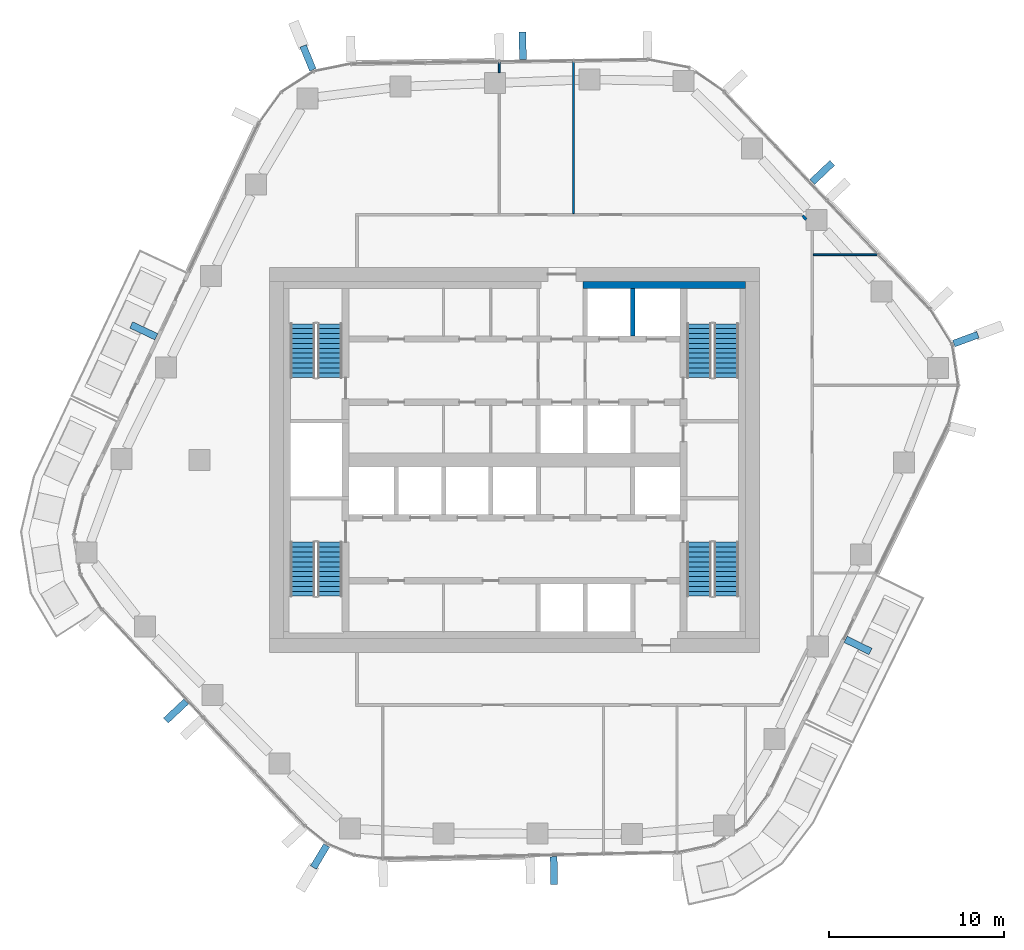
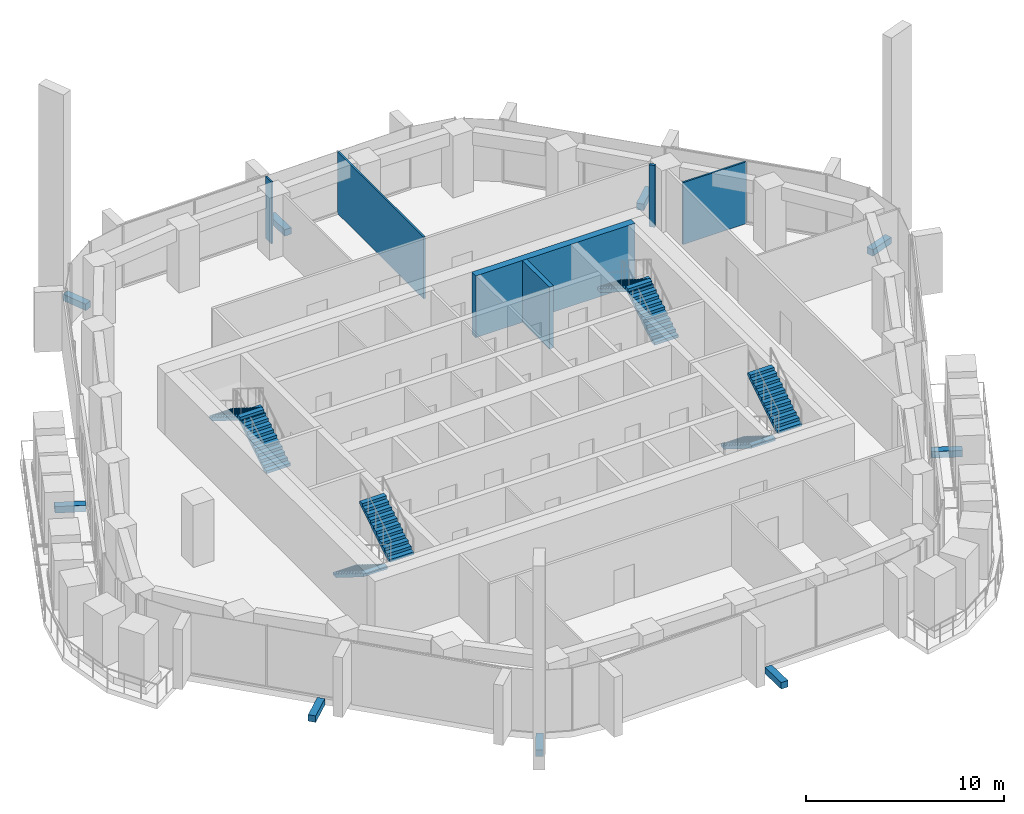
# One storey, part 14 of 18: 9 discrete accessories, 8 stair flights, 6 walls, 4 elements without a shape of their own.
"""IFC4 building model written with IfcOpenShell, lengths in metres."""

from ifc_helpers import new_model, si_unit, direction, frame, frame_2d, origin, origin_2d, place, context, subcontext, project, spatial, polyline, rectangle, outline, extrude, material, layer, layer_set, type_object, element, aggregate, save


model = new_model("IFC4")

# Units and contexts
model_context = context("Model", 3, precision=1e-05, world=origin(), true_north=direction((0.0, 1.0)))
body_context = subcontext(model_context, "Body", "Model", "MODEL_VIEW")
ifc_project = project(units=[si_unit("LENGTHUNIT", "METRE"), si_unit("AREAUNIT", "SQUARE_METRE"), si_unit("VOLUMEUNIT", "CUBIC_METRE"), si_unit("PLANEANGLEUNIT", "RADIAN"), si_unit("MASSUNIT", "GRAM", prefix="KILO")], contexts=[model_context])

# Site, building, storey
site_placement = place(None, origin())
site = spatial("IfcSite", under=ifc_project, at=site_placement, CompositionType="ELEMENT")
building_placement = place(site_placement, origin())
building = spatial("IfcBuilding", under=site, at=building_placement, Name="Dongbaek Canopy Tower", CompositionType="ELEMENT")
storey_placement = place(building_placement, frame((0.0, 0.0, 158.60009765625)))
storey = spatial("IfcBuildingStorey", under=building, at=storey_placement, Name="L34", CompositionType="ELEMENT", Elevation=158.60009765625)

# Walls
ifc_material_1 = material(Name="Concrete C60/75", Category="concrete")
ifc_layer_1 = layer(ifc_material_1, 0.39990234375)
ifc_layer_set_1 = layer_set([ifc_layer_1], Name="Core wall lining 400 Concrete C60/75")
wall_type_1 = type_object("IfcWallType", Name="Core wall lining 400 Concrete C60/75", PredefinedType="SHEAR", material=ifc_layer_set_1)
wall_1_placement = place(storey_placement, frame((3.89990234375, 10.0, 0.0), z_axis=(0.0, 0.0, 1.0), x_axis=(1.0, 0.0, 0.0)))
element("IfcWall", 1, at=wall_1_placement, inside=storey, type_object=wall_type_1, Name="Core wall lining", PredefinedType="SHEAR", context=body_context, shape_type="SweptSolid", body=[
    extrude(rectangle(XDim=9.300048828125, YDim=0.39990234375, at=frame_2d((4.64990234375, 0.0))), origin(), (0.0, 0.0, 1.0), 3.81982421875),
])
ifc_material_2 = material(Name="Gypsum board partition, steel stud, 2 x 15 mm fire board", Category="steel")
ifc_layer_2 = layer(ifc_material_2, 0.14990234375)
ifc_layer_set_2 = layer_set([ifc_layer_2], Name="Fire-rated partition 150 gypsum board")
wall_type_2 = type_object("IfcWallType", Name="Fire-rated partition 150 gypsum board", PredefinedType="PARTITIONING", material=ifc_layer_set_2)
wall_2_placement = place(storey_placement, frame((16.453125, 13.959228515625, 0.0), z_axis=(0.0, 0.0, 1.0), x_axis=(0.687856738642, -0.725846476264, 0.0)))
element("IfcWall", 2, at=wall_2_placement, inside=storey, type_object=wall_type_2, Name="Corridor partition", PredefinedType="PARTITIONING", context=body_context, shape_type="SweptSolid", body=[
    extrude(rectangle(XDim=0.302001953125, YDim=0.14990234375, at=frame_2d((0.15087890625, 0.0))), origin(), (0.0, 0.0, 1.0), 3.81982421875),
])
ifc_material_3 = material(Name="Concrete C40/50", Category="concrete")
ifc_layer_3 = layer(ifc_material_3, 0.25)
ifc_layer_set_3 = layer_set([ifc_layer_3], Name="Lift shaft wall 250 Concrete C40/50")
wall_type_3 = type_object("IfcWallType", Name="Lift shaft wall 250 Concrete C40/50", PredefinedType="SOLIDWALL", material=ifc_layer_set_3)
wall_3_placement = place(storey_placement, frame((6.75, 7.074951171875, 0.0), z_axis=(0.0, 0.0, 1.0), x_axis=(0.0, 1.0, 0.0)))
element("IfcWall", 3, at=wall_3_placement, inside=storey, type_object=wall_type_3, Name="Lift shaft wall", PredefinedType="SOLIDWALL", context=body_context, shape_type="SweptSolid", body=[
    extrude(rectangle(XDim=2.72509765625, YDim=0.25, at=frame_2d((1.362548828125, 0.0))), origin(), (0.0, 0.0, 1.0), 3.81982421875),
])
ifc_material_4 = material(Name="Gypsum board partition, steel stud, 2 x 12.5 mm board", Category="steel")
ifc_layer_4 = layer(ifc_material_4, 0.10009765625)
ifc_layer_set_4 = layer_set([ifc_layer_4], Name="Partition 100 gypsum board")
wall_type_4 = type_object("IfcWallType", Name="Partition 100 gypsum board", PredefinedType="PARTITIONING", material=ifc_layer_set_4)
wall_4_placement = place(storey_placement, frame((17.074951171875, 11.72412109375, 0.0), z_axis=(0.0, 0.0, 1.0), x_axis=(1.0, 0.0, 0.0)))
element("IfcWall", 4, at=wall_4_placement, inside=storey, type_object=wall_type_4, Name="Partition", PredefinedType="PARTITIONING", context=body_context, shape_type="SweptSolid", body=[
    extrude(rectangle(XDim=3.701416015625, YDim=0.10009765625, at=frame_2d((1.8505859375, 0.0))), origin(), (0.0, 0.0, 1.0), 3.81982421875),
])
wall_5_placement = place(storey_placement, frame((3.375, 14.074951171875, 0.0), z_axis=(0.0, 0.0, 1.0), x_axis=(0.0, 1.0, 0.0)))
element("IfcWall", 5, at=wall_5_placement, inside=storey, type_object=wall_type_4, Name="Partition", PredefinedType="PARTITIONING", context=body_context, shape_type="SweptSolid", body=[
    extrude(rectangle(XDim=8.714599609375, YDim=0.10009765625, at=frame_2d((4.357421875, 0.0))), origin(), (0.0, 0.0, 1.0), 3.81982421875),
])
wall_6_placement = place(storey_placement, frame((-0.864990234375, 22.1298828125, 0.0), z_axis=(0.0, 0.0, 1.0), x_axis=(0.0, 1.0, 0.0)))
element("IfcWall", 6, at=wall_6_placement, inside=storey, type_object=wall_type_4, Name="Partition", PredefinedType="PARTITIONING", context=body_context, shape_type="SweptSolid", body=[
    extrude(rectangle(XDim=0.59912109375, YDim=0.10009765625, at=frame_2d((0.299560546875, 0.0))), origin(), (0.0, 0.0, 1.0), 3.81982421875),
])

# Stair, stair flights
ifc_material_5 = material(Name="Concrete C40/50", Category="concrete")
stair_type = type_object("IfcStairType", Name="Core exit stair", PredefinedType="HALF_TURN_STAIR", material=ifc_material_5)
stair_1_placement = place(storey_placement, origin())
stair_1 = element("IfcStair", 7, at=stair_1_placement, inside=storey, type_object=stair_type, Name="L34 exit stair A", PredefinedType="HALF_TURN_STAIR")
ifc_material_6 = material(Name="Concrete C40/50", Category="concrete")
ifc_layer_5 = layer(ifc_material_6, 0.14990234375)
ifc_layer_set_5 = layer_set([ifc_layer_5], Name="Core stair flight 150 waist")
stair_flight_type = type_object("IfcStairFlightType", Name="Core stair flight 150 waist", PredefinedType="STRAIGHT", material=ifc_layer_set_5)
stair_flight_1_placement = place(storey_placement, frame((12.10009765625, 4.699951171875, 0.0), z_axis=(0.0, 0.0, 1.0), x_axis=(0.0, 1.0, 0.0)))
stair_flight_1 = element("IfcStairFlight", 8, at=stair_flight_1_placement, type_object=stair_flight_type, Name="ST-A flight 1", NumberOfRisers=12, NumberOfTreads=11, PredefinedType="STRAIGHT", RiserHeight=0.175, TreadLength=0.28, context=body_context, shape_type="SweptSolid", body=[
    extrude(outline(polyline([(0.0, 0.0), (0.0, 0.175048828125), (0.280029296875, 0.175048828125), (0.280029296875, 0.35009765625), (0.56005859375, 0.35009765625), (0.56005859375, 0.52490234375), (0.840087890625, 0.52490234375), (0.840087890625, 0.699951171875), (1.1201171875, 0.699951171875), (1.1201171875, 0.875), (1.39990234375, 0.875), (1.39990234375, 1.050048828125), (1.679931640625, 1.050048828125), (1.679931640625, 1.22509765625), (1.9599609375, 1.22509765625), (1.9599609375, 1.39990234375), (2.239990234375, 1.39990234375), (2.239990234375, 1.574951171875), (2.52001953125, 1.574951171875), (2.52001953125, 1.75), (2.800048828125, 1.75), (2.800048828125, 1.925048828125), (3.080078125, 1.925048828125), (3.080078125, 2.10009765625), (3.080078125, 1.748291015625), (0.28271484375, 0.0), (0.0, 0.0)])), frame((0.0, 0.699951171875, 0.0), z_axis=(0.0, -1.0, 0.0), x_axis=(1.0, 0.0, 0.0)), (0.0, 0.0, 1.0), 1.39990234375),
])
stair_flight_2_placement = place(storey_placement, frame((10.550048828125, 7.780029296875, 2.099853515625), z_axis=(0.0, 0.0, 1.0), x_axis=(0.0, -1.0, 0.0)))
stair_flight_2 = element("IfcStairFlight", 9, at=stair_flight_2_placement, type_object=stair_flight_type, Name="ST-A flight 2", NumberOfRisers=12, NumberOfTreads=11, PredefinedType="STRAIGHT", RiserHeight=0.175, TreadLength=0.28, context=body_context, shape_type="SweptSolid", body=[
    extrude(outline(polyline([(0.0, 0.0), (0.0, 0.175048828125), (0.280029296875, 0.175048828125), (0.280029296875, 0.35009765625), (0.56005859375, 0.35009765625), (0.56005859375, 0.52490234375), (0.840087890625, 0.52490234375), (0.840087890625, 0.699951171875), (1.1201171875, 0.699951171875), (1.1201171875, 0.875), (1.39990234375, 0.875), (1.39990234375, 1.050048828125), (1.679931640625, 1.050048828125), (1.679931640625, 1.22509765625), (1.9599609375, 1.22509765625), (1.9599609375, 1.39990234375), (2.239990234375, 1.39990234375), (2.239990234375, 1.574951171875), (2.52001953125, 1.574951171875), (2.52001953125, 1.75), (2.800048828125, 1.75), (2.800048828125, 1.925048828125), (3.080078125, 1.925048828125), (3.080078125, 2.10009765625), (3.080078125, 1.748291015625), (0.28271484375, 0.0), (0.0, 0.0)])), frame((0.0, 0.699951171875, 0.0), z_axis=(0.0, -1.0, 0.0), x_axis=(1.0, 0.0, 0.0)), (0.0, 0.0, 1.0), 1.39990234375),
])
aggregate(stair_1, [stair_flight_1, stair_flight_2])

stair_2_placement = place(storey_placement, origin())
stair_2 = element("IfcStair", 10, at=stair_2_placement, inside=storey, type_object=stair_type, Name="L34 exit stair C", PredefinedType="HALF_TURN_STAIR")
stair_flight_3_placement = place(storey_placement, frame((-10.550048828125, 4.699951171875, 0.0), z_axis=(0.0, 0.0, 1.0), x_axis=(0.0, 1.0, 0.0)))
stair_flight_3 = element("IfcStairFlight", 11, at=stair_flight_3_placement, type_object=stair_flight_type, Name="ST-C flight 1", NumberOfRisers=12, NumberOfTreads=11, PredefinedType="STRAIGHT", RiserHeight=0.175, TreadLength=0.28, context=body_context, shape_type="SweptSolid", body=[
    extrude(outline(polyline([(0.0, 0.0), (0.0, 0.175048828125), (0.280029296875, 0.175048828125), (0.280029296875, 0.35009765625), (0.56005859375, 0.35009765625), (0.56005859375, 0.52490234375), (0.840087890625, 0.52490234375), (0.840087890625, 0.699951171875), (1.1201171875, 0.699951171875), (1.1201171875, 0.875), (1.39990234375, 0.875), (1.39990234375, 1.050048828125), (1.679931640625, 1.050048828125), (1.679931640625, 1.22509765625), (1.9599609375, 1.22509765625), (1.9599609375, 1.39990234375), (2.239990234375, 1.39990234375), (2.239990234375, 1.574951171875), (2.52001953125, 1.574951171875), (2.52001953125, 1.75), (2.800048828125, 1.75), (2.800048828125, 1.925048828125), (3.080078125, 1.925048828125), (3.080078125, 2.10009765625), (3.080078125, 1.748291015625), (0.28271484375, 0.0), (0.0, 0.0)])), frame((0.0, 0.699951171875, 0.0), z_axis=(0.0, -1.0, 0.0), x_axis=(1.0, 0.0, 0.0)), (0.0, 0.0, 1.0), 1.39990234375),
])
stair_flight_4_placement = place(storey_placement, frame((-12.10009765625, 7.780029296875, 2.099853515625), z_axis=(0.0, 0.0, 1.0), x_axis=(0.0, -1.0, 0.0)))
stair_flight_4 = element("IfcStairFlight", 12, at=stair_flight_4_placement, type_object=stair_flight_type, Name="ST-C flight 2", NumberOfRisers=12, NumberOfTreads=11, PredefinedType="STRAIGHT", RiserHeight=0.175, TreadLength=0.28, context=body_context, shape_type="SweptSolid", body=[
    extrude(outline(polyline([(0.0, 0.0), (0.0, 0.175048828125), (0.280029296875, 0.175048828125), (0.280029296875, 0.35009765625), (0.56005859375, 0.35009765625), (0.56005859375, 0.52490234375), (0.840087890625, 0.52490234375), (0.840087890625, 0.699951171875), (1.1201171875, 0.699951171875), (1.1201171875, 0.875), (1.39990234375, 0.875), (1.39990234375, 1.050048828125), (1.679931640625, 1.050048828125), (1.679931640625, 1.22509765625), (1.9599609375, 1.22509765625), (1.9599609375, 1.39990234375), (2.239990234375, 1.39990234375), (2.239990234375, 1.574951171875), (2.52001953125, 1.574951171875), (2.52001953125, 1.75), (2.800048828125, 1.75), (2.800048828125, 1.925048828125), (3.080078125, 1.925048828125), (3.080078125, 2.10009765625), (3.080078125, 1.748291015625), (0.28271484375, 0.0), (0.0, 0.0)])), frame((0.0, 0.699951171875, 0.0), z_axis=(0.0, -1.0, 0.0), x_axis=(1.0, 0.0, 0.0)), (0.0, 0.0, 1.0), 1.39990234375),
])
aggregate(stair_2, [stair_flight_3, stair_flight_4])

stair_3_placement = place(storey_placement, origin())
stair_3 = element("IfcStair", 13, at=stair_3_placement, inside=storey, type_object=stair_type, Name="L34 exit stair B", PredefinedType="HALF_TURN_STAIR")
stair_flight_5_placement = place(storey_placement, frame((10.550048828125, -4.699951171875, 0.0), z_axis=(0.0, 0.0, 1.0), x_axis=(0.0, -1.0, 0.0)))
stair_flight_5 = element("IfcStairFlight", 14, at=stair_flight_5_placement, type_object=stair_flight_type, Name="ST-B flight 1", NumberOfRisers=12, NumberOfTreads=11, PredefinedType="STRAIGHT", RiserHeight=0.175, TreadLength=0.28, context=body_context, shape_type="SweptSolid", body=[
    extrude(outline(polyline([(0.0, 0.0), (0.0, 0.175048828125), (0.280029296875, 0.175048828125), (0.280029296875, 0.35009765625), (0.56005859375, 0.35009765625), (0.56005859375, 0.52490234375), (0.840087890625, 0.52490234375), (0.840087890625, 0.699951171875), (1.1201171875, 0.699951171875), (1.1201171875, 0.875), (1.39990234375, 0.875), (1.39990234375, 1.050048828125), (1.679931640625, 1.050048828125), (1.679931640625, 1.22509765625), (1.9599609375, 1.22509765625), (1.9599609375, 1.39990234375), (2.239990234375, 1.39990234375), (2.239990234375, 1.574951171875), (2.52001953125, 1.574951171875), (2.52001953125, 1.75), (2.800048828125, 1.75), (2.800048828125, 1.925048828125), (3.080078125, 1.925048828125), (3.080078125, 2.10009765625), (3.080078125, 1.748291015625), (0.28271484375, 0.0), (0.0, 0.0)])), frame((0.0, 0.699951171875, 0.0), z_axis=(0.0, -1.0, 0.0), x_axis=(1.0, 0.0, 0.0)), (0.0, 0.0, 1.0), 1.39990234375),
])
stair_flight_6_placement = place(storey_placement, frame((12.10009765625, -7.780029296875, 2.099853515625), z_axis=(0.0, 0.0, 1.0), x_axis=(0.0, 1.0, 0.0)))
stair_flight_6 = element("IfcStairFlight", 15, at=stair_flight_6_placement, type_object=stair_flight_type, Name="ST-B flight 2", NumberOfRisers=12, NumberOfTreads=11, PredefinedType="STRAIGHT", RiserHeight=0.175, TreadLength=0.28, context=body_context, shape_type="SweptSolid", body=[
    extrude(outline(polyline([(0.0, 0.0), (0.0, 0.175048828125), (0.280029296875, 0.175048828125), (0.280029296875, 0.35009765625), (0.56005859375, 0.35009765625), (0.56005859375, 0.52490234375), (0.840087890625, 0.52490234375), (0.840087890625, 0.699951171875), (1.1201171875, 0.699951171875), (1.1201171875, 0.875), (1.39990234375, 0.875), (1.39990234375, 1.050048828125), (1.679931640625, 1.050048828125), (1.679931640625, 1.22509765625), (1.9599609375, 1.22509765625), (1.9599609375, 1.39990234375), (2.239990234375, 1.39990234375), (2.239990234375, 1.574951171875), (2.52001953125, 1.574951171875), (2.52001953125, 1.75), (2.800048828125, 1.75), (2.800048828125, 1.925048828125), (3.080078125, 1.925048828125), (3.080078125, 2.10009765625), (3.080078125, 1.748291015625), (0.28271484375, 0.0), (0.0, 0.0)])), frame((0.0, 0.699951171875, 0.0), z_axis=(0.0, -1.0, 0.0), x_axis=(1.0, 0.0, 0.0)), (0.0, 0.0, 1.0), 1.39990234375),
])
aggregate(stair_3, [stair_flight_5, stair_flight_6])

stair_4_placement = place(storey_placement, origin())
stair_4 = element("IfcStair", 16, at=stair_4_placement, inside=storey, type_object=stair_type, Name="L34 exit stair D", PredefinedType="HALF_TURN_STAIR")
stair_flight_7_placement = place(storey_placement, frame((-12.10009765625, -4.699951171875, 0.0), z_axis=(0.0, 0.0, 1.0), x_axis=(0.0, -1.0, 0.0)))
stair_flight_7 = element("IfcStairFlight", 17, at=stair_flight_7_placement, type_object=stair_flight_type, Name="ST-D flight 1", NumberOfRisers=12, NumberOfTreads=11, PredefinedType="STRAIGHT", RiserHeight=0.175, TreadLength=0.28, context=body_context, shape_type="SweptSolid", body=[
    extrude(outline(polyline([(0.0, 0.0), (0.0, 0.175048828125), (0.280029296875, 0.175048828125), (0.280029296875, 0.35009765625), (0.56005859375, 0.35009765625), (0.56005859375, 0.52490234375), (0.840087890625, 0.52490234375), (0.840087890625, 0.699951171875), (1.1201171875, 0.699951171875), (1.1201171875, 0.875), (1.39990234375, 0.875), (1.39990234375, 1.050048828125), (1.679931640625, 1.050048828125), (1.679931640625, 1.22509765625), (1.9599609375, 1.22509765625), (1.9599609375, 1.39990234375), (2.239990234375, 1.39990234375), (2.239990234375, 1.574951171875), (2.52001953125, 1.574951171875), (2.52001953125, 1.75), (2.800048828125, 1.75), (2.800048828125, 1.925048828125), (3.080078125, 1.925048828125), (3.080078125, 2.10009765625), (3.080078125, 1.748291015625), (0.28271484375, 0.0), (0.0, 0.0)])), frame((0.0, 0.699951171875, 0.0), z_axis=(0.0, -1.0, 0.0), x_axis=(1.0, 0.0, 0.0)), (0.0, 0.0, 1.0), 1.39990234375),
])
stair_flight_8_placement = place(storey_placement, frame((-10.550048828125, -7.780029296875, 2.099853515625), z_axis=(0.0, 0.0, 1.0), x_axis=(0.0, 1.0, 0.0)))
stair_flight_8 = element("IfcStairFlight", 18, at=stair_flight_8_placement, type_object=stair_flight_type, Name="ST-D flight 2", NumberOfRisers=12, NumberOfTreads=11, PredefinedType="STRAIGHT", RiserHeight=0.175, TreadLength=0.28, context=body_context, shape_type="SweptSolid", body=[
    extrude(outline(polyline([(0.0, 0.0), (0.0, 0.175048828125), (0.280029296875, 0.175048828125), (0.280029296875, 0.35009765625), (0.56005859375, 0.35009765625), (0.56005859375, 0.52490234375), (0.840087890625, 0.52490234375), (0.840087890625, 0.699951171875), (1.1201171875, 0.699951171875), (1.1201171875, 0.875), (1.39990234375, 0.875), (1.39990234375, 1.050048828125), (1.679931640625, 1.050048828125), (1.679931640625, 1.22509765625), (1.9599609375, 1.22509765625), (1.9599609375, 1.39990234375), (2.239990234375, 1.39990234375), (2.239990234375, 1.574951171875), (2.52001953125, 1.574951171875), (2.52001953125, 1.75), (2.800048828125, 1.75), (2.800048828125, 1.925048828125), (3.080078125, 1.925048828125), (3.080078125, 2.10009765625), (3.080078125, 1.748291015625), (0.28271484375, 0.0), (0.0, 0.0)])), frame((0.0, 0.699951171875, 0.0), z_axis=(0.0, -1.0, 0.0), x_axis=(1.0, 0.0, 0.0)), (0.0, 0.0, 1.0), 1.39990234375),
])
aggregate(stair_4, [stair_flight_7, stair_flight_8])

# Discrete accessories
ifc_material_7 = material(Name="Galvanised steel S355 bracket", Category="steel")
discrete_accessory_type = type_object("IfcDiscreteAccessoryType", Name="Crease fin bracket BR3 400", PredefinedType="BRACKET", material=ifc_material_7)
discrete_accessory_1_placement = place(storey_placement, frame((19.623779296875, -10.591796875, -0.39013671875), z_axis=(0.0, 0.0, 1.0), x_axis=(0.89865092436, -0.438664468754, 0.0)))
element("IfcDiscreteAccessory", 19, at=discrete_accessory_1_placement, inside=storey, type_object=discrete_accessory_type, Name="Crease fin bracket L34 F5", PredefinedType="BRACKET", context=body_context, shape_type="SweptSolid", body=[
    extrude(rectangle(XDim=1.583984375, YDim=0.39990234375, at=origin_2d()), origin(), (0.0, 0.0, 1.0), 0.39990234375),
])
discrete_accessory_2_placement = place(storey_placement, frame((17.57861328125, 16.42333984375, -0.39013671875), z_axis=(0.0, 0.0, 1.0), x_axis=(0.725669849867, 0.688043072048, 0.0)))
element("IfcDiscreteAccessory", 20, at=discrete_accessory_2_placement, inside=storey, type_object=discrete_accessory_type, Name="Crease fin bracket L34 F0", PredefinedType="BRACKET", context=body_context, shape_type="SweptSolid", body=[
    extrude(rectangle(XDim=1.585205078125, YDim=0.39990234375, at=origin_2d()), origin(), (0.0, 0.0, 1.0), 0.39990234375),
])
discrete_accessory_3_placement = place(storey_placement, frame((0.46826171875, 23.66259765625, -0.39013671875), z_axis=(0.0, 0.0, 1.0), x_axis=(-0.014278053439, 0.999898063399, 0.0)))
element("IfcDiscreteAccessory", 21, at=discrete_accessory_3_placement, inside=storey, type_object=discrete_accessory_type, Name="Crease fin bracket L34 F1", PredefinedType="BRACKET", context=body_context, shape_type="SweptSolid", body=[
    extrude(rectangle(XDim=1.5888671875, YDim=0.39990234375, at=origin_2d()), origin(), (0.0, 0.0, 1.0), 0.39990234375),
])
discrete_accessory_4_placement = place(storey_placement, frame((-21.177490234375, 7.37548828125, -0.39013671875), z_axis=(0.0, 0.0, 1.0), x_axis=(-0.904625564373, 0.426207212847, 0.0)))
element("IfcDiscreteAccessory", 22, at=discrete_accessory_4_placement, inside=storey, type_object=discrete_accessory_type, Name="Crease fin bracket L34 F2", PredefinedType="BRACKET", context=body_context, shape_type="SweptSolid", body=[
    extrude(rectangle(XDim=1.589111328125, YDim=0.39990234375, at=origin_2d()), origin(), (0.0, 0.0, 1.0), 0.39990234375),
])
discrete_accessory_5_placement = place(storey_placement, frame((-19.33642578125, -14.34228515625, -0.39013671875), z_axis=(0.0, 0.0, 1.0), x_axis=(-0.729649279829, -0.683821561846, 0.0)))
element("IfcDiscreteAccessory", 23, at=discrete_accessory_5_placement, inside=storey, type_object=discrete_accessory_type, Name="Crease fin bracket L34 F3", PredefinedType="BRACKET", context=body_context, shape_type="SweptSolid", body=[
    extrude(rectangle(XDim=1.598388671875, YDim=0.39990234375, at=origin_2d()), origin(), (0.0, 0.0, 1.0), 0.39990234375),
])
discrete_accessory_6_placement = place(storey_placement, frame((2.2529296875, -23.461181640625, -0.39013671875), z_axis=(0.0, 0.0, 1.0), x_axis=(0.020514906096, -0.999789547169, 0.0)))
element("IfcDiscreteAccessory", 24, at=discrete_accessory_6_placement, inside=storey, type_object=discrete_accessory_type, Name="Crease fin bracket L34 F4", PredefinedType="BRACKET", context=body_context, shape_type="SweptSolid", body=[
    extrude(rectangle(XDim=1.596435546875, YDim=0.39990234375, at=origin_2d()), origin(), (0.0, 0.0, 1.0), 0.39990234375),
])
for number, where, z_axis, x_axis, name in (
    (25, (25.77978515625, 6.90087890625, -0.39013671875), (0.0, 0.0, 1.0), (0.937824127945, 0.347110796497, 0.0), "Corner fin bracket L34 K0"),
    (26, (-11.797607421875, 22.967041015625, -0.39013671875), (0.0, 0.0, 1.0), (-0.376811193994, 0.926290086356, 0.0), "Corner fin bracket L34 K2"),
    (27, (-11.107421875, -22.64697265625, -0.39013671875), (0.0, 0.0, 1.0), (-0.512733815426, -0.858547630897, 0.0), "Corner fin bracket L34 K4"),
):
    element("IfcDiscreteAccessory", number, at=place(storey_placement, frame(where, z_axis=z_axis, x_axis=x_axis)), inside=storey, type_object=discrete_accessory_type, Name=name, PredefinedType="BRACKET", context=body_context, shape_type="SweptSolid", body=[
        extrude(rectangle(XDim=1.469970703125, YDim=0.39990234375, at=origin_2d()), origin(), (0.0, 0.0, 1.0), 0.39990234375),
    ])

save(model, "model.ifc")
